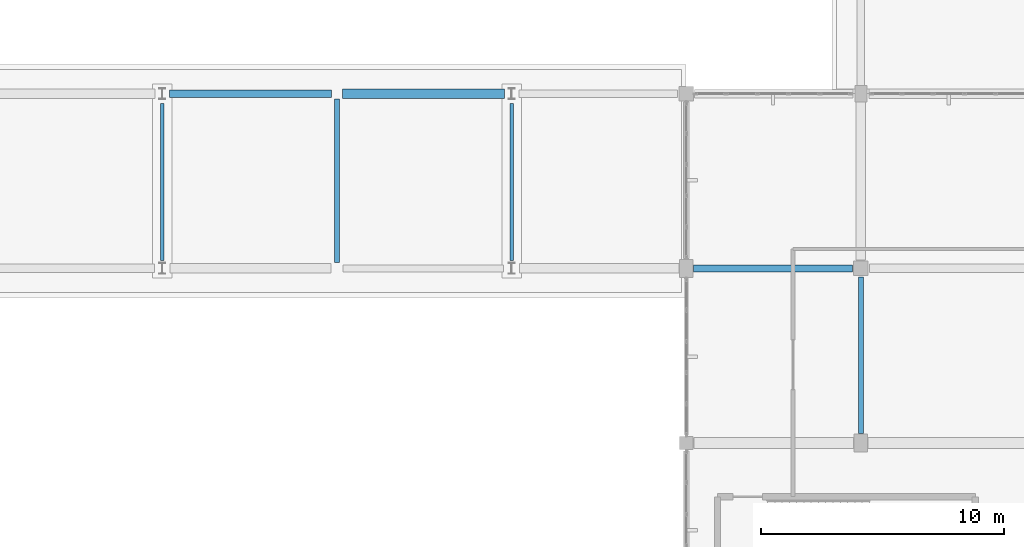
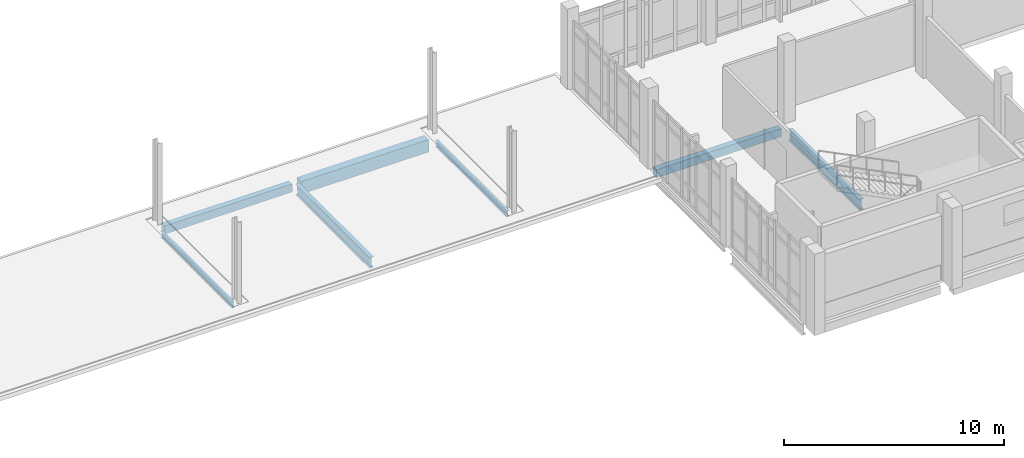
# One storey, part 37 of 134: 7 beams.
"""IFC4 building model written with IfcOpenShell, lengths in metres."""

from ifc_helpers import new_model, si_unit, direction, frame, origin, origin_2d, place, context, subcontext, project, spatial, rectangle, i_section, extrude, material, material_profile, profile_set, type_object, element, save


model = new_model("IFC4")

# Units and contexts
model_context = context("Model", 3, precision=1e-05, world=origin(), true_north=direction((0.0, 1.0)))
body_context = subcontext(model_context, "Body", "Model", "MODEL_VIEW")
ifc_project = project(units=[si_unit("LENGTHUNIT", "METRE"), si_unit("AREAUNIT", "SQUARE_METRE"), si_unit("VOLUMEUNIT", "CUBIC_METRE"), si_unit("PLANEANGLEUNIT", "RADIAN"), si_unit("MASSUNIT", "GRAM", prefix="KILO")], contexts=[model_context])

# Site, building, storey
site_placement = place(None, origin())
site = spatial("IfcSite", under=ifc_project, at=site_placement, CompositionType="ELEMENT")
building_placement = place(site_placement, origin())
building = spatial("IfcBuilding", under=site, at=building_placement, Name="Kalluvel Institute of Natural Sciences", CompositionType="ELEMENT")
storey_placement = place(building_placement, frame((0.0, 0.0, 5.39990234375)))
storey = spatial("IfcBuildingStorey", under=building, at=storey_placement, Name="L01", CompositionType="ELEMENT", Elevation=5.39990234375)

# Beams
ifc_material_1 = material(Name="Steel E350 Grade 350", Category="steel")
ifc_material_profile_1 = material_profile(ifc_material_1, i_section(OverallWidth=0.139892578125, OverallDepth=0.35009765625, WebThickness=0.008056640625, FlangeThickness=0.01416015625, FilletRadius=0.013916015625, at=origin_2d()), Name="ISMB 350")
ifc_profile_set_1 = profile_set([ifc_material_profile_1], Name="Steel E350 Grade 350")
beam_type_1 = type_object("IfcBeamType", Name="BM-ISMB350", PredefinedType="BEAM", material=ifc_profile_set_1)
for number, where, z_axis, x_axis, name in (
    (1, (78.800048828125, 28.72509765625, -0.414794921875), (0.0, 1.0, 0.0), (-1.0, 0.0, 0.0), "L01 girder GIR-L01-NS-X788-Y284"),
    (2, (93.199951171875, 28.72509765625, -0.414794921875), (0.0, 1.0, 0.0), (-1.0, 0.0, 0.0), "L01 girder GIR-L01-NS-X932-Y284"),
):
    element("IfcBeam", number, at=place(storey_placement, frame(where, z_axis=z_axis, x_axis=x_axis)), inside=storey, type_object=beam_type_1, Name=name, PredefinedType="BEAM", context=body_context, shape_type="SweptSolid", body=[
        extrude(i_section(OverallWidth=0.139892578125, OverallDepth=0.35009765625, WebThickness=0.008056640625, FlangeThickness=0.01416015625, FilletRadius=0.013916015625, at=origin_2d()), origin(), (0.0, 0.0, 1.0), 6.474853515625),
    ])
ifc_material_profile_2 = material_profile(ifc_material_1, i_section(OverallWidth=0.2099609375, OverallDepth=0.60009765625, WebThickness=0.011962890625, FlangeThickness=0.020751953125, FilletRadius=0.02001953125, at=origin_2d()), Name="ISMB 600")
ifc_profile_set_2 = profile_set([ifc_material_profile_2], Name="Steel E350 Grade 350")
beam_type_2 = type_object("IfcBeamType", Name="BM-ISMB600", PredefinedType="BEAM", material=ifc_profile_set_2)
beam_1_placement = place(storey_placement, frame((86.0, 28.64990234375, -0.539794921875), z_axis=(0.0, 1.0, 0.0), x_axis=(-1.0, 0.0, 0.0)))
element("IfcBeam", 3, at=beam_1_placement, inside=storey, type_object=beam_type_2, Name="L01 girder GIR-L01-NS-X860-Y284", PredefinedType="BEAM", context=body_context, shape_type="SweptSolid", body=[
    extrude(i_section(OverallWidth=0.2099609375, OverallDepth=0.60009765625, WebThickness=0.011962890625, FlangeThickness=0.020751953125, FilletRadius=0.02001953125, at=origin_2d()), origin(), (0.0, 0.0, 1.0), 6.72509765625),
])
beam_2_placement = place(storey_placement, frame((107.60009765625, 21.60009765625, -0.619873046875), z_axis=(0.0, 1.0, 0.0), x_axis=(-1.0, 0.0, 0.0)))
element("IfcBeam", 4, at=beam_2_placement, inside=storey, type_object=beam_type_2, Name="L01 girder GIR-L01-NS-X1076-Y212", PredefinedType="BEAM", context=body_context, shape_type="SweptSolid", body=[
    extrude(i_section(OverallWidth=0.2099609375, OverallDepth=0.60009765625, WebThickness=0.011962890625, FlangeThickness=0.020751953125, FilletRadius=0.02001953125, at=origin_2d()), origin(), (0.0, 0.0, 1.0), 6.449951171875),
])
ifc_material_2 = material(Name="Concrete M40", Category="concrete")
ifc_material_profile_3 = material_profile(ifc_material_2, rectangle(XDim=0.300048828125, YDim=0.449951171875, at=origin_2d()), Name="RCB 300x450")
ifc_profile_set_3 = profile_set([ifc_material_profile_3], Name="Concrete M40")
beam_type_3 = type_object("IfcBeamType", Name="SP-RC300x450", PredefinedType="SPANDREL", material=ifc_profile_set_3)
beam_3_placement = place(storey_placement, frame((100.699951171875, 28.39990234375, -0.544921875), z_axis=(1.0, 0.0, 0.0), x_axis=(0.0, 1.0, 0.0)))
element("IfcBeam", 5, at=beam_3_placement, inside=storey, type_object=beam_type_3, Name="L01 girder GIR-L01-EW-X1004-Y284", PredefinedType="SPANDREL", context=body_context, shape_type="SweptSolid", body=[
    extrude(rectangle(XDim=0.300048828125, YDim=0.449951171875, at=origin_2d()), origin(), (0.0, 0.0, 1.0), 6.550048828125),
])
beam_4_placement = place(storey_placement, frame((79.10009765625, 35.60009765625, -0.46484375), z_axis=(1.0, 0.0, 0.0), x_axis=(0.0, 1.0, 0.0)))
element("IfcBeam", 6, at=beam_4_placement, inside=storey, type_object=beam_type_3, Name="L01 girder GIR-L01-EW-X788-Y356", PredefinedType="SPANDREL", context=body_context, shape_type="SweptSolid", body=[
    extrude(rectangle(XDim=0.300048828125, YDim=0.449951171875, at=origin_2d()), origin(), (0.0, 0.0, 1.0), 6.6748046875),
])
ifc_material_profile_4 = material_profile(ifc_material_2, rectangle(XDim=0.39990234375, YDim=0.699951171875, at=origin_2d()), Name="RCB 400x700")
ifc_profile_set_4 = profile_set([ifc_material_profile_4], Name="Concrete M40")
beam_type_4 = type_object("IfcBeamType", Name="SP-RC400x700", PredefinedType="SPANDREL", material=ifc_profile_set_4)
beam_5_placement = place(storey_placement, frame((86.22509765625, 35.60009765625, -0.58984375), z_axis=(1.0, 0.0, 0.0), x_axis=(0.0, 1.0, 0.0)))
element("IfcBeam", 7, at=beam_5_placement, inside=storey, type_object=beam_type_4, Name="L01 girder GIR-L01-EW-X860-Y356", PredefinedType="SPANDREL", context=body_context, shape_type="SweptSolid", body=[
    extrude(rectangle(XDim=0.39990234375, YDim=0.699951171875, at=origin_2d()), origin(), (0.0, 0.0, 1.0), 6.6748046875),
])

save(model, "model.ifc")
